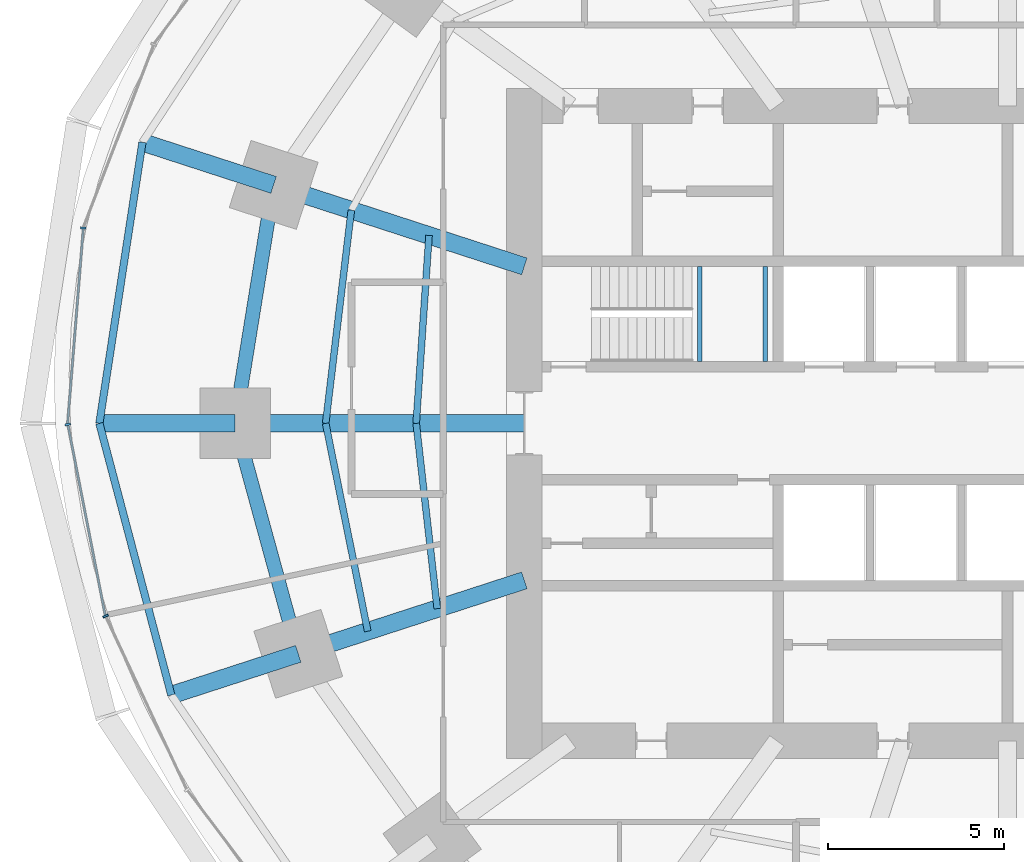
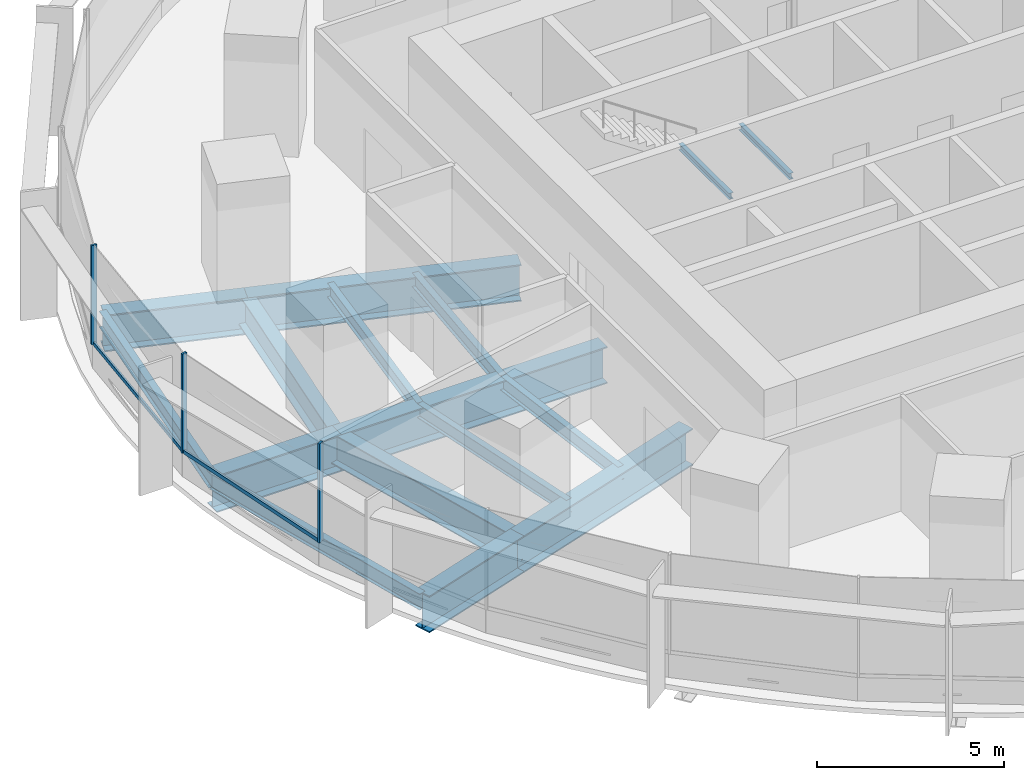
# One storey, part 4 of 15: 16 beams, 5 members, 2 elements without a shape of their own.
"""IFC4 building model written with IfcOpenShell, lengths in metres."""

from ifc_helpers import new_model, si_unit, direction, frame, origin, origin_2d, place, context, subcontext, project, spatial, rectangle, i_section, extrude, material, material_profile, profile_set, type_object, element, aggregate, save


model = new_model("IFC4")

# Units and contexts
model_context = context("Model", 3, precision=1e-05, world=origin(), true_north=direction((0.0, 1.0)))
body_context = subcontext(model_context, "Body", "Model", "MODEL_VIEW")
ifc_project = project(units=[si_unit("LENGTHUNIT", "METRE"), si_unit("AREAUNIT", "SQUARE_METRE"), si_unit("VOLUMEUNIT", "CUBIC_METRE"), si_unit("PLANEANGLEUNIT", "RADIAN"), si_unit("MASSUNIT", "GRAM", prefix="KILO")], contexts=[model_context])

# Site, building, storey
site_placement = place(None, origin())
site = spatial("IfcSite", under=ifc_project, at=site_placement, CompositionType="ELEMENT")
building_placement = place(site_placement, origin())
building = spatial("IfcBuilding", under=site, at=building_placement, Name="Marramba Exchange Tower", CompositionType="ELEMENT")
storey_placement = place(building_placement, frame((0.0, 0.0, 44.800048828125)))
storey = spatial("IfcBuildingStorey", under=building, at=storey_placement, Name="L10", CompositionType="ELEMENT", Elevation=44.800048828125)

# Beams
ifc_material_1 = material(Name="Steel AS/NZS 3679.2 grade 300", Category="steel")
ifc_material_profile_1 = material_profile(ifc_material_1, i_section(OverallWidth=0.5, OverallDepth=1.199951171875, WebThickness=0.01611328125, FlangeThickness=0.0400390625, at=origin_2d()), Name="1200WB455")
ifc_profile_set_1 = profile_set([ifc_material_profile_1], Name="Steel AS/NZS 3679.2 grade 300")
beam_type_1 = type_object("IfcBeamType", Name="Cantilever girder 1200WB455", PredefinedType="BEAM", material=ifc_profile_set_1)
beam_1_placement = place(storey_placement, frame((-20.808349609375, 6.760986328125, -0.760009765625), z_axis=(-0.951058833549, 0.309009862508, 0.0), x_axis=(-0.309009862508, -0.951058833549, 0.0)))
element("IfcBeam", 1, at=beam_1_placement, inside=storey, type_object=beam_type_1, Name="Cantilever girder L10 TC10", PredefinedType="BEAM", context=body_context, shape_type="SweptSolid", body=[
    extrude(i_section(OverallWidth=0.5, OverallDepth=1.199951171875, WebThickness=0.01611328125, FlangeThickness=0.0400390625, at=origin_2d()), origin(), (0.0, 0.0, 1.0), 3.91162109375),
])
beam_2_placement = place(storey_placement, frame((-21.89990234375, 0.0, -0.760009765625), z_axis=(-1.0, 0.0, 0.0), x_axis=(0.0, -1.0, 0.0)))
element("IfcBeam", 2, at=beam_2_placement, inside=storey, type_object=beam_type_1, Name="Cantilever girder L10 TC11", PredefinedType="BEAM", context=body_context, shape_type="SweptSolid", body=[
    extrude(i_section(OverallWidth=0.5, OverallDepth=1.199951171875, WebThickness=0.01611328125, FlangeThickness=0.0400390625, at=origin_2d()), origin(), (0.0, 0.0, 1.0), 3.85009765625),
])
beam_3_placement = place(storey_placement, frame((-20.109375, -6.533935546875, -0.760009765625), z_axis=(-0.951048759501, -0.309040866314, 0.0), x_axis=(0.309040866314, -0.951048759501, 0.0)))
element("IfcBeam", 3, at=beam_3_placement, inside=storey, type_object=beam_type_1, Name="Cantilever girder L10 TC12", PredefinedType="BEAM", context=body_context, shape_type="SweptSolid", body=[
    extrude(i_section(OverallWidth=0.5, OverallDepth=1.199951171875, WebThickness=0.01611328125, FlangeThickness=0.0400390625, at=origin_2d()), origin(), (0.0, 0.0, 1.0), 3.78564453125),
])
ifc_material_2 = material(Name="Steel AS/NZS 3679.1 grade 300", Category="steel")
ifc_material_profile_2 = material_profile(ifc_material_2, i_section(OverallWidth=0.18994140625, OverallDepth=0.4541015625, WebThickness=0.008544921875, FlangeThickness=0.0126953125, FilletRadius=0.011474609375, at=origin_2d()), Name="460UB67.1")
ifc_profile_set_2 = profile_set([ifc_material_profile_2], Name="Steel AS/NZS 3679.1 grade 300")
beam_type_2 = type_object("IfcBeamType", Name="Floor joist 460UB67.1", PredefinedType="JOIST", material=ifc_profile_set_2)
beam_4_placement = place(storey_placement, frame((-16.40283203125, 5.32958984375, -0.386962890625), z_axis=(-0.068096259546, -0.99767875563, 0.0), x_axis=(0.99767875563, -0.068096259546, 0.0)))
element("IfcBeam", 4, at=beam_4_placement, inside=storey, type_object=beam_type_2, Name="Joist L10 bay 10 row 1", PredefinedType="JOIST", context=body_context, shape_type="SweptSolid", body=[
    extrude(i_section(OverallWidth=0.18994140625, OverallDepth=0.4541015625, WebThickness=0.008544921875, FlangeThickness=0.0126953125, FilletRadius=0.011474609375, at=origin_2d()), origin(), (0.0, 0.0, 1.0), 5.342041015625),
])
beam_5_placement = place(storey_placement, frame((-18.60546875, 6.04541015625, -0.386962890625), z_axis=(-0.119523078538, -0.992831422597, 0.0), x_axis=(0.992831422597, -0.119523078538, 0.0)))
element("IfcBeam", 5, at=beam_5_placement, inside=storey, type_object=beam_type_2, Name="Joist L10 bay 10 row 2", PredefinedType="JOIST", context=body_context, shape_type="SweptSolid", body=[
    extrude(i_section(OverallWidth=0.18994140625, OverallDepth=0.4541015625, WebThickness=0.008544921875, FlangeThickness=0.0126953125, FilletRadius=0.011474609375, at=origin_2d()), origin(), (0.0, 0.0, 1.0), 6.089111328125),
])
beam_6_placement = place(storey_placement, frame((-16.7666015625, 0.0, -0.386962890625), z_axis=(0.112888968594, -0.993607609054, 0.0), x_axis=(0.993607609054, 0.112888968594, 0.0)))
element("IfcBeam", 6, at=beam_6_placement, inside=storey, type_object=beam_type_2, Name="Joist L10 bay 11 row 1", PredefinedType="JOIST", context=body_context, shape_type="SweptSolid", body=[
    extrude(i_section(OverallWidth=0.18994140625, OverallDepth=0.4541015625, WebThickness=0.008544921875, FlangeThickness=0.0126953125, FilletRadius=0.011474609375, at=origin_2d()), origin(), (0.0, 0.0, 1.0), 5.28759765625),
])
beam_7_placement = place(storey_placement, frame((-19.333251953125, 0.0, -0.386962890625), z_axis=(0.198489047047, -0.980103105904, 0.0), x_axis=(0.980103105904, 0.198489047047, 0.0)))
element("IfcBeam", 7, at=beam_7_placement, inside=storey, type_object=beam_type_2, Name="Joist L10 bay 11 row 2", PredefinedType="JOIST", context=body_context, shape_type="SweptSolid", body=[
    extrude(i_section(OverallWidth=0.18994140625, OverallDepth=0.4541015625, WebThickness=0.008544921875, FlangeThickness=0.0126953125, FilletRadius=0.011474609375, at=origin_2d()), origin(), (0.0, 0.0, 1.0), 6.013427734375),
])
ifc_material_profile_3 = material_profile(ifc_material_1, i_section(OverallWidth=0.5, OverallDepth=1.199951171875, WebThickness=0.01611328125, FlangeThickness=0.0400390625, at=origin_2d()), Name="1200WB455")
ifc_profile_set_3 = profile_set([ifc_material_profile_3], Name="Steel AS/NZS 3679.2 grade 300")
beam_type_3 = type_object("IfcBeamType", Name="Radial girder 1200WB455", PredefinedType="BEAM", material=ifc_profile_set_3)
beam_8_placement = place(storey_placement, frame((-13.699951171875, 4.451416015625, -0.760009765625), z_axis=(-0.951059990189, 0.309006302624, 0.0), x_axis=(-0.309006302624, -0.951059990189, 0.0)))
element("IfcBeam", 8, at=beam_8_placement, inside=storey, type_object=beam_type_3, Name="Radial girder L10 TC10", PredefinedType="BEAM", context=body_context, shape_type="SweptSolid", body=[
    extrude(i_section(OverallWidth=0.5, OverallDepth=1.199951171875, WebThickness=0.01611328125, FlangeThickness=0.0400390625, at=origin_2d()), origin(), (0.0, 0.0, 1.0), 7.47412109375),
])
beam_9_placement = place(storey_placement, frame((-13.699951171875, 0.0, -0.760009765625), z_axis=(-1.0, 0.0, 0.0), x_axis=(0.0, -1.0, 0.0)))
element("IfcBeam", 9, at=beam_9_placement, inside=storey, type_object=beam_type_3, Name="Radial girder L10 TC11", PredefinedType="BEAM", context=body_context, shape_type="SweptSolid", body=[
    extrude(i_section(OverallWidth=0.5, OverallDepth=1.199951171875, WebThickness=0.01611328125, FlangeThickness=0.0400390625, at=origin_2d()), origin(), (0.0, 0.0, 1.0), 8.199951171875),
])
beam_10_placement = place(storey_placement, frame((-13.699951171875, -4.451416015625, -0.760009765625), z_axis=(-0.951057759669, -0.309013167637, 0.0), x_axis=(0.309013167637, -0.951057759669, 0.0)))
element("IfcBeam", 10, at=beam_10_placement, inside=storey, type_object=beam_type_3, Name="Radial girder L10 TC12", PredefinedType="BEAM", context=body_context, shape_type="SweptSolid", body=[
    extrude(i_section(OverallWidth=0.5, OverallDepth=1.199951171875, WebThickness=0.01611328125, FlangeThickness=0.0400390625, at=origin_2d()), origin(), (0.0, 0.0, 1.0), 6.7392578125),
])
ifc_material_profile_4 = material_profile(ifc_material_1, i_section(OverallWidth=0.39990234375, OverallDepth=1.0, WebThickness=0.01611328125, FlangeThickness=0.031982421875, at=origin_2d()), Name="1000WB322")
ifc_profile_set_4 = profile_set([ifc_material_profile_4], Name="Steel AS/NZS 3679.2 grade 300")
beam_type_4 = type_object("IfcBeamType", Name="Ring beam 1000WB322", PredefinedType="SPANDREL", material=ifc_profile_set_4)
beam_11_placement = place(storey_placement, frame((-20.808349609375, 6.760986328125, -0.66015625), z_axis=(-0.159384865399, -0.987216523708, 0.0), x_axis=(0.987216523708, -0.159384865399, 0.0)))
element("IfcBeam", 11, at=beam_11_placement, inside=storey, type_object=beam_type_4, Name="Ring beam L10 TC10-TC11", PredefinedType="SPANDREL", context=body_context, shape_type="SweptSolid", body=[
    extrude(i_section(OverallWidth=0.39990234375, OverallDepth=1.0, WebThickness=0.01611328125, FlangeThickness=0.031982421875, at=origin_2d()), origin(), (0.0, 0.0, 1.0), 6.8486328125),
])
beam_12_placement = place(storey_placement, frame((-21.89990234375, 0.0, -0.66015625), z_axis=(0.264291166956, -0.964442937176, 0.0), x_axis=(0.964442937176, 0.264291166956, 0.0)))
element("IfcBeam", 12, at=beam_12_placement, inside=storey, type_object=beam_type_4, Name="Ring beam L10 TC11-TC12", PredefinedType="SPANDREL", context=body_context, shape_type="SweptSolid", body=[
    extrude(i_section(OverallWidth=0.39990234375, OverallDepth=1.0, WebThickness=0.01611328125, FlangeThickness=0.031982421875, at=origin_2d()), origin(), (0.0, 0.0, 1.0), 6.77490234375),
])
ifc_material_profile_5 = material_profile(ifc_material_2, i_section(OverallWidth=0.208984375, OverallDepth=0.528076171875, WebThickness=0.009521484375, FlangeThickness=0.01318359375, FilletRadius=0.013916015625, at=origin_2d()), Name="530UB82.0")
ifc_profile_set_5 = profile_set([ifc_material_profile_5], Name="Steel AS/NZS 3679.1 grade 300")
beam_type_5 = type_object("IfcBeamType", Name="Slab edge beam 530UB82.0", PredefinedType="SPANDREL", material=ifc_profile_set_5)
beam_13_placement = place(storey_placement, frame((-24.528564453125, 7.9697265625, -0.424072265625), z_axis=(-0.151490591645, -0.988458699513, 0.0), x_axis=(0.988458699513, -0.151490591645, 0.0)))
element("IfcBeam", 13, at=beam_13_placement, inside=storey, type_object=beam_type_5, Name="Slab edge beam L10 TC10-TC11", PredefinedType="SPANDREL", context=body_context, shape_type="SweptSolid", body=[
    extrude(i_section(OverallWidth=0.208984375, OverallDepth=0.528076171875, WebThickness=0.009521484375, FlangeThickness=0.01318359375, FilletRadius=0.013916015625, at=origin_2d()), origin(), (0.0, 0.0, 1.0), 8.062744140625),
])
beam_14_placement = place(storey_placement, frame((-25.75, 0.0, -0.424072265625), z_axis=(0.25601296674, -0.966673347549, 0.0), x_axis=(0.966673347549, 0.25601296674, 0.0)))
element("IfcBeam", 14, at=beam_14_placement, inside=storey, type_object=beam_type_5, Name="Slab edge beam L10 TC11-TC12", PredefinedType="SPANDREL", context=body_context, shape_type="SweptSolid", body=[
    extrude(i_section(OverallWidth=0.208984375, OverallDepth=0.528076171875, WebThickness=0.009521484375, FlangeThickness=0.01318359375, FilletRadius=0.013916015625, at=origin_2d()), origin(), (0.0, 0.0, 1.0), 7.969482421875),
])
ifc_material_profile_6 = material_profile(ifc_material_2, i_section(OverallWidth=0.133056640625, OverallDepth=0.202880859375, WebThickness=0.005859375, FlangeThickness=0.0078125, FilletRadius=0.0087890625, at=origin_2d()), Name="200UB25.4")
ifc_profile_set_6 = profile_set([ifc_material_profile_6], Name="Steel AS/NZS 3679.1 grade 300")
beam_type_6 = type_object("IfcBeamType", Name="Stair landing beam 200UB25.4", PredefinedType="BEAM", material=ifc_profile_set_6)
for number, where, z_axis, x_axis, name in (
    (15, (-8.723388671875, 1.75, 1.79833984375), (0.0, 1.0, 0.0), (-1.0, 0.0, 0.0), "Stair landing beam SLB1 ST1 L10 1"),
    (16, (-6.866455078125, 1.75, 1.79833984375), (0.0, 1.0, 0.0), (-1.0, 0.0, 0.0), "Stair landing beam SLB1 ST1 L10 2"),
):
    element("IfcBeam", number, at=place(storey_placement, frame(where, z_axis=z_axis, x_axis=x_axis)), inside=storey, type_object=beam_type_6, Name=name, PredefinedType="BEAM", context=body_context, shape_type="SweptSolid", body=[
        extrude(i_section(OverallWidth=0.133056640625, OverallDepth=0.202880859375, WebThickness=0.005859375, FlangeThickness=0.0078125, FilletRadius=0.0087890625, at=origin_2d()), origin(), (0.0, 0.0, 1.0), 2.699951171875),
    ])

# Curtain wall, member
ifc_material_3 = material(Name="Aluminium framing, bronze anodised", Category="aluminium")
curtain_wall_type = type_object("IfcCurtainWallType", Name="Trading floor ribbon curtain wall", PredefinedType="USERDEFINED", material=ifc_material_3)
curtain_wall_1_placement = place(storey_placement, origin())
curtain_wall_1 = element("IfcCurtainWall", 17, at=curtain_wall_1_placement, inside=storey, type_object=curtain_wall_type, Name="Curtain wall CW3 L10 F11-F15", ObjectType="RIBBON CURTAIN WALL", PredefinedType="USERDEFINED")
ifc_material_4 = material(Name="Aluminium mullion, bronze anodised", Category="aluminium")
ifc_material_profile_7 = material_profile(ifc_material_4, rectangle(XDim=0.159912109375, YDim=0.06005859375, at=origin_2d()), Name="CW3 mullion 60x160")
ifc_profile_set_7 = profile_set([ifc_material_profile_7], Name="Aluminium mullion, bronze anodised")
member_type_1 = type_object("IfcMemberType", Name="Trading floor ribbon curtain wall mullion", PredefinedType="MULLION", material=ifc_profile_set_7)
member_1_placement = place(storey_placement, frame((-26.203857421875, 5.539306640625, 0.800048828125), z_axis=(0.0, 0.0, 1.0), x_axis=(0.996772736434, -0.080275225953, 0.0)))
member_1 = element("IfcMember", 18, at=member_1_placement, type_object=member_type_1, Name="CW3 mullion 1", PredefinedType="MULLION", context=body_context, shape_type="SweptSolid", body=[
    extrude(rectangle(XDim=0.159912109375, YDim=0.06005859375, at=origin_2d()), origin(), (0.0, 0.0, 1.0), 3.239990234375),
])

# Curtain wall, members
curtain_wall_2_placement = place(storey_placement, origin())
curtain_wall_2 = element("IfcCurtainWall", 19, at=curtain_wall_2_placement, inside=storey, type_object=curtain_wall_type, Name="Curtain wall CW3 L10 F16-F20", ObjectType="RIBBON CURTAIN WALL", PredefinedType="USERDEFINED")
member_2_placement = place(storey_placement, frame((-26.644287109375, -0.029541015625, 0.800048828125), z_axis=(0.0, 0.0, 1.0), x_axis=(0.981346261612, 0.1922485756, 0.0)))
member_2 = element("IfcMember", 20, at=member_2_placement, type_object=member_type_1, Name="CW3 mullion 1", PredefinedType="MULLION", context=body_context, shape_type="SweptSolid", body=[
    extrude(rectangle(XDim=0.159912109375, YDim=0.06005859375, at=origin_2d()), origin(), (0.0, 0.0, 1.0), 3.239990234375),
])
member_3_placement = place(storey_placement, frame((-25.572021484375, -5.46533203125, 0.800048828125), z_axis=(0.0, 0.0, 1.0), x_axis=(0.905906758768, 0.423477206492, 0.0)))
member_3 = element("IfcMember", 21, at=member_3_placement, type_object=member_type_1, Name="CW3 mullion 1", PredefinedType="MULLION", context=body_context, shape_type="SweptSolid", body=[
    extrude(rectangle(XDim=0.159912109375, YDim=0.06005859375, at=origin_2d()), origin(), (0.0, 0.0, 1.0), 3.239990234375),
])

# Member
ifc_material_5 = material(Name="Aluminium transom, bronze anodised", Category="aluminium")
ifc_material_profile_8 = material_profile(ifc_material_5, rectangle(XDim=0.06005859375, YDim=0.1201171875, at=origin_2d()), Name="CW3 transom 60x120")
ifc_profile_set_8 = profile_set([ifc_material_profile_8], Name="Aluminium transom, bronze anodised")
member_type_2 = type_object("IfcMemberType", Name="Trading floor ribbon curtain wall transom", PredefinedType="USERDEFINED", material=ifc_profile_set_8)
member_4_placement = place(storey_placement, frame((-26.206298828125, 5.509521484375, 0.829833984375), z_axis=(-0.080256075865, -0.996774278504, 0.0), x_axis=(0.996774278504, -0.080256075865, 0.0)))
member_4 = element("IfcMember", 22, at=member_4_placement, type_object=member_type_2, Name="CW3 sill transom", ObjectType="TRANSOM", PredefinedType="USERDEFINED", context=body_context, shape_type="SweptSolid", body=[
    extrude(rectangle(XDim=0.06005859375, YDim=0.1201171875, at=origin_2d()), origin(), (0.0, 0.0, 1.0), 5.52734375),
])

aggregate(curtain_wall_1, [member_1, member_4])

member_5_placement = place(storey_placement, frame((-26.638427734375, -0.058837890625, 0.829833984375), z_axis=(0.192226081646, -0.981350667975, 0.0), x_axis=(0.981350667975, 0.192226081646, 0.0)))
member_5 = element("IfcMember", 23, at=member_5_placement, type_object=member_type_2, Name="CW3 sill transom", ObjectType="TRANSOM", PredefinedType="USERDEFINED", context=body_context, shape_type="SweptSolid", body=[
    extrude(rectangle(XDim=0.06005859375, YDim=0.1201171875, at=origin_2d()), origin(), (0.0, 0.0, 1.0), 5.481689453125),
])

aggregate(curtain_wall_2, [member_2, member_5, member_3])

save(model, "model.ifc")
